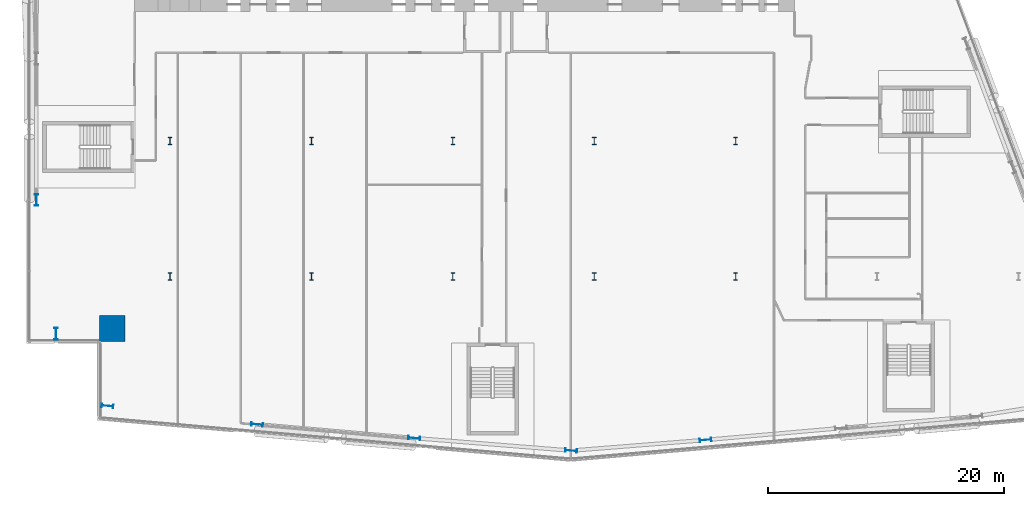
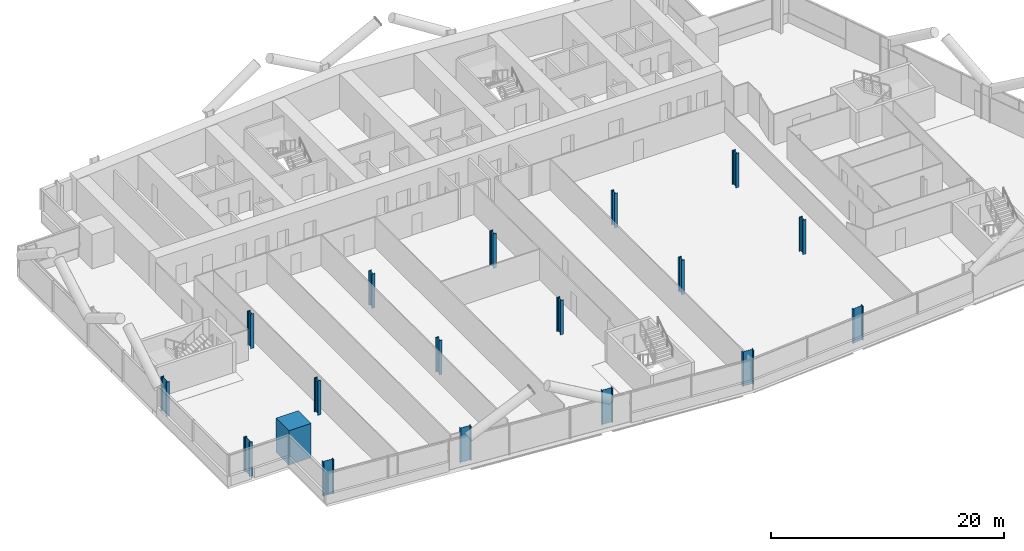
# One storey, part 1 of 24: 18 columns.
"""IFC4 building model written with IfcOpenShell, lengths in metres."""

from ifc_helpers import new_model, si_unit, direction, frame, origin, origin_2d, place, context, subcontext, project, spatial, rectangle, i_section, extrude, material, material_profile, profile_set, type_object, element, save


model = new_model("IFC4")

# Units and contexts
model_context = context("Model", 3, precision=1e-05, world=origin(), true_north=direction((0.0, 1.0)))
body_context = subcontext(model_context, "Body", "Model", "MODEL_VIEW")
ifc_project = project(units=[si_unit("LENGTHUNIT", "METRE"), si_unit("AREAUNIT", "SQUARE_METRE"), si_unit("VOLUMEUNIT", "CUBIC_METRE"), si_unit("PLANEANGLEUNIT", "RADIAN"), si_unit("MASSUNIT", "GRAM", prefix="KILO")], contexts=[model_context])

# Site, building, storey
site_placement = place(None, origin())
site = spatial("IfcSite", under=ifc_project, at=site_placement, CompositionType="ELEMENT")
building_placement = place(site_placement, origin())
building = spatial("IfcBuilding", under=site, at=building_placement, Name="Wharfspan Tower", CompositionType="ELEMENT")
storey_placement = place(building_placement, frame((0.0, 0.0, 66.699951)))
storey = spatial("IfcBuildingStorey", under=building, at=storey_placement, Name="L13", CompositionType="ELEMENT", Elevation=66.699951)

# Columns
ifc_material_1 = material(Name="Steel S355J2", Category="steel")
ifc_material_profile_1 = material_profile(ifc_material_1, i_section(OverallWidth=0.302002, OverallDepth=1.008057, WebThickness=0.020996, FlangeThickness=0.040039, FilletRadius=0.030029, at=origin_2d()))
ifc_profile_set_1 = profile_set([ifc_material_profile_1], Name="Steel S355J2")
column_type_1 = type_object("IfcColumnType", Name="Column HEM 1000", PredefinedType="COLUMN", material=ifc_profile_set_1)
for number, where, z_axis, x_axis, name in (
    (1, (6.694336, 0.528564, 0.0), (0.0, 0.0, 1.0), (-0.087156, -0.996198, 0.0), "Perimeter column PS1.1 L13"),
    (2, (19.390869, -1.033936, 0.0), (0.0, 0.0, 1.0), (-0.087156, -0.996198, 0.0), "Perimeter column PS1.2 L13"),
    (3, (32.724121, -2.200439, 0.0), (0.0, 0.0, 1.0), (-0.087156, -0.996198, 0.0), "Perimeter column PS1.3 L13"),
    (4, (46.04248, -3.268066, 0.0), (0.0, 0.0, 1.0), (-0.087156, -0.996198, 0.0), "Perimeter column PS1.4 L13"),
    (5, (57.442383, -2.36084, 0.0), (0.0, 0.0, 1.0), (0.087156, -0.996198, 0.0), "Perimeter column PS2.1 L13"),
    (6, (0.659912, 18.0, 0.0), (0.0, 0.0, 1.0), (-1.0, 0.0, 0.0), "Perimeter column PW.2 L13"),
    (7, (2.331787, 6.66748, 0.0), (0.0, 0.0, 1.0), (-1.0, 0.0, 0.0), "Perimeter column PW.3 L13"),
):
    element("IfcColumn", number, at=place(storey_placement, frame(where, z_axis=z_axis, x_axis=x_axis)), inside=storey, type_object=column_type_1, Name=name, PredefinedType="COLUMN", context=body_context, shape_type="SweptSolid", body=[
        extrude(i_section(OverallWidth=0.302002, OverallDepth=1.008057, WebThickness=0.020996, FlangeThickness=0.040039, FilletRadius=0.030029, at=origin_2d()), origin(), (0.0, 0.0, 1.0), 3.600098),
    ])
ifc_material_profile_2 = material_profile(ifc_material_1, i_section(OverallWidth=0.304932, OverallDepth=0.620117, WebThickness=0.020996, FlangeThickness=0.040039, FilletRadius=0.0271, at=origin_2d()))
ifc_profile_set_2 = profile_set([ifc_material_profile_2], Name="Steel S355J2")
column_type_2 = type_object("IfcColumnType", Name="Column HEM 600", PredefinedType="COLUMN", material=ifc_profile_set_2)
for number, where, z_axis, x_axis, name in (
    (8, (12.0, 11.5, 0.0), (0.0, 0.0, 1.0), (1.0, 0.0, 0.0), "Interior column I.1.1 L13"),
    (9, (24.0, 11.5, 0.0), (0.0, 0.0, 1.0), (1.0, 0.0, 0.0), "Interior column I.1.2 L13"),
    (10, (36.0, 11.5, 0.0), (0.0, 0.0, 1.0), (1.0, 0.0, 0.0), "Interior column I.1.3 L13"),
    (11, (48.0, 11.5, 0.0), (0.0, 0.0, 1.0), (1.0, 0.0, 0.0), "Interior column I.1.4 L13"),
    (12, (60.0, 11.5, 0.0), (0.0, 0.0, 1.0), (1.0, 0.0, 0.0), "Interior column I.1.5 L13"),
    (13, (12.0, 23.0, 0.0), (0.0, 0.0, 1.0), (1.0, 0.0, 0.0), "Interior column I.2.1 L13"),
    (14, (24.0, 23.0, 0.0), (0.0, 0.0, 1.0), (1.0, 0.0, 0.0), "Interior column I.2.2 L13"),
    (15, (36.0, 23.0, 0.0), (0.0, 0.0, 1.0), (1.0, 0.0, 0.0), "Interior column I.2.3 L13"),
    (16, (48.0, 23.0, 0.0), (0.0, 0.0, 1.0), (1.0, 0.0, 0.0), "Interior column I.2.4 L13"),
    (17, (60.0, 23.0, 0.0), (0.0, 0.0, 1.0), (1.0, 0.0, 0.0), "Interior column I.2.5 L13"),
):
    element("IfcColumn", number, at=place(storey_placement, frame(where, z_axis=z_axis, x_axis=x_axis)), inside=storey, type_object=column_type_2, Name=name, PredefinedType="COLUMN", context=body_context, shape_type="SweptSolid", body=[
        extrude(i_section(OverallWidth=0.304932, OverallDepth=0.620117, WebThickness=0.020996, FlangeThickness=0.040039, FilletRadius=0.0271, at=origin_2d()), origin(), (0.0, 0.0, 1.0), 3.600098),
    ])
ifc_material_2 = material(Name="Concrete C70/85", Category="concrete")
ifc_material_profile_3 = material_profile(ifc_material_2, rectangle(XDim=2.199951, YDim=2.199951, at=origin_2d()))
ifc_profile_set_3 = profile_set([ifc_material_profile_3], Name="Concrete C70/85")
column_type_3 = type_object("IfcColumnType", Name="Mega column 2200 C70/85", PredefinedType="COLUMN", material=ifc_profile_set_3)
column_placement = place(storey_placement, frame((7.100098, 7.100098, 0.0), z_axis=(0.0, 0.0, 1.0), x_axis=(1.0, 0.0, 0.0)))
element("IfcColumn", 18, at=column_placement, inside=storey, type_object=column_type_3, Name="Mega column MC1 L13", PredefinedType="COLUMN", context=body_context, shape_type="SweptSolid", body=[
    extrude(rectangle(XDim=2.199951, YDim=2.199951, at=origin_2d()), origin(), (0.0, 0.0, 1.0), 3.600098),
])

save(model, "model.ifc")
